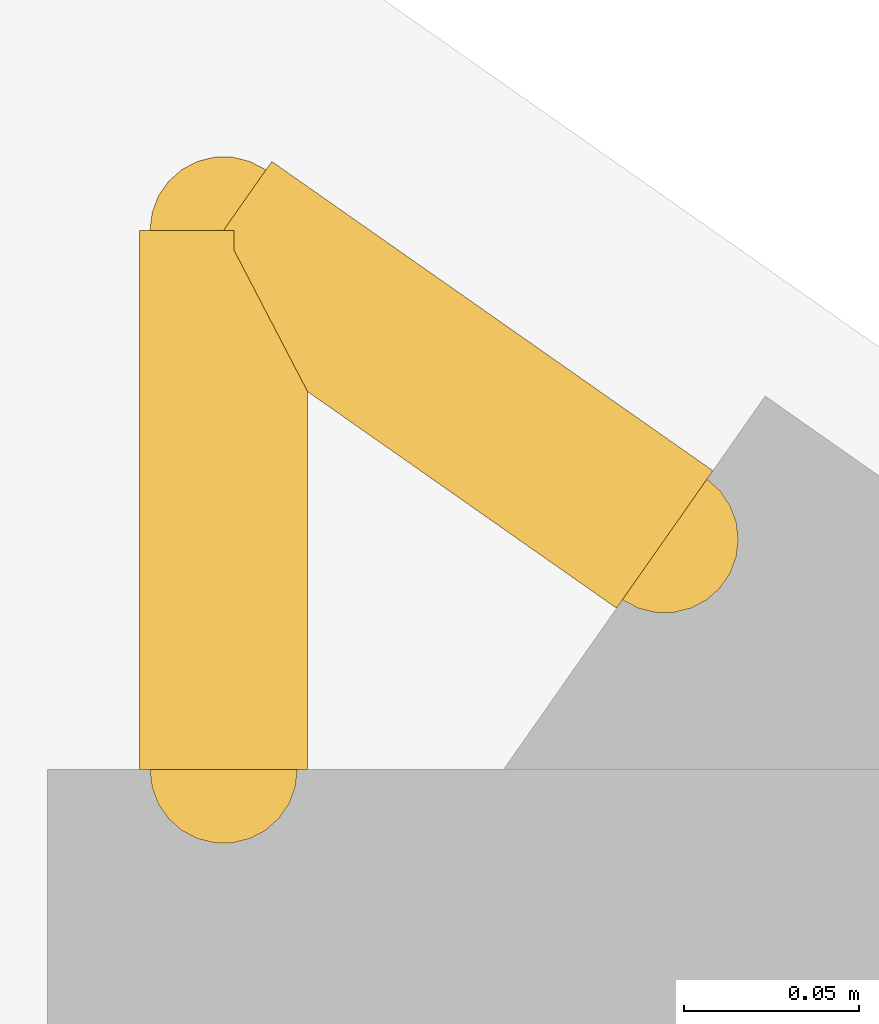
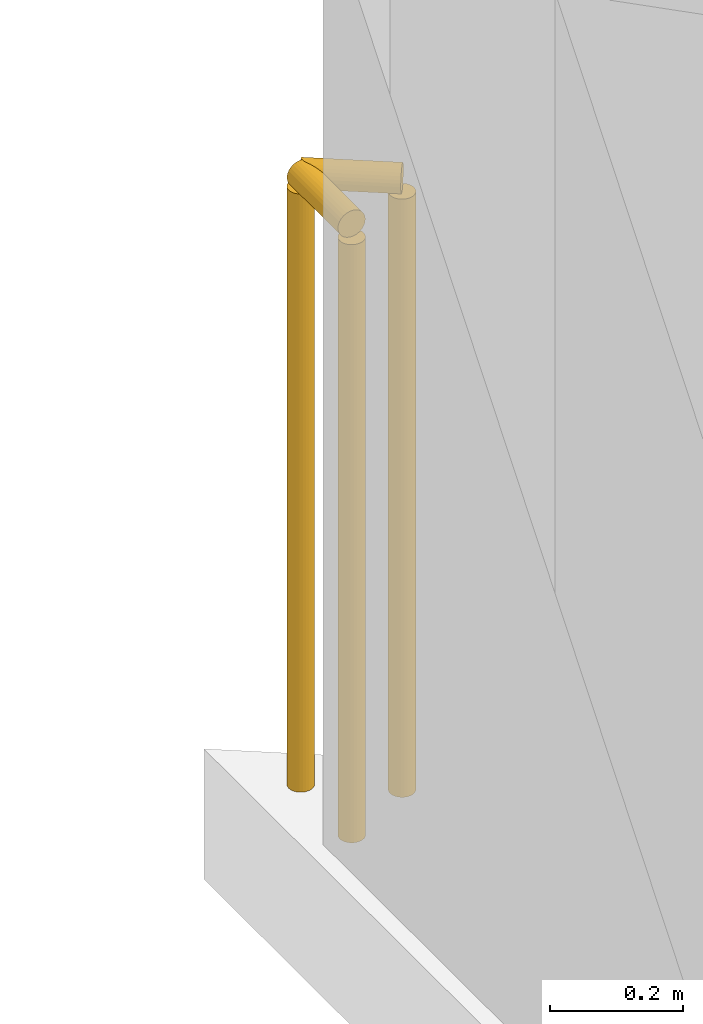
# One storey, part 16 of 16: 2 railings.
"""IFC4 building model written with IfcOpenShell, lengths in metres."""

from ifc_helpers import new_model, si_unit, direction, frame, origin, origin_2d, place, context, subcontext, project, spatial, circle, extrude, material, type_object, element, save


model = new_model("IFC4")

# Units and contexts
model_context = context("Model", 3, precision=1e-05, world=origin(), true_north=direction((0.0, 1.0)))
body_context = subcontext(model_context, "Body", "Model", "MODEL_VIEW")
ifc_project = project(units=[si_unit("LENGTHUNIT", "METRE"), si_unit("AREAUNIT", "SQUARE_METRE"), si_unit("VOLUMEUNIT", "CUBIC_METRE"), si_unit("PLANEANGLEUNIT", "RADIAN"), si_unit("MASSUNIT", "GRAM", prefix="KILO")], contexts=[model_context])

# Site, building, storey
site_placement = place(None, origin())
site = spatial("IfcSite", under=ifc_project, at=site_placement, CompositionType="ELEMENT")
building_placement = place(site_placement, origin())
building = spatial("IfcBuilding", under=site, at=building_placement, Name="Varnakote Quay Hospital", CompositionType="ELEMENT")
storey_placement = place(building_placement, frame((0.0, 0.0, 180.25)))
storey = spatial("IfcBuildingStorey", under=building, at=storey_placement, Name="L44", CompositionType="ELEMENT", Elevation=180.25)

# Railings
ifc_material = material(Name="Anodised aluminium 6063-T6 Bronze", Category="aluminium")
railing_type = type_object("IfcRailingType", Name="RLG-EXT-GUARD-1150", PredefinedType="GUARDRAIL", material=ifc_material)
railing_1_placement = place(storey_placement, frame((2.580078125, 42.492431640625, 0.0)))
element("IfcRailing", 1, at=railing_1_placement, inside=storey, type_object=railing_type, Name="L44 Slab Edge Perimeter Safety Guard", PredefinedType="GUARDRAIL", context=body_context, shape_type="SweptSolid", body=[
    extrude(circle(Radius=0.02392578125, at=origin_2d()), frame((0.0, 0.0, 1.1259765625), z_axis=(0.0, 1.0, 0.0), x_axis=(-1.0, 0.0, 0.0)), (0.0, 0.0, 1.0), 0.15380859375),
    extrude(circle(Radius=0.02099609375, at=origin_2d()), origin(), (0.0, 0.0, 1.0), 1.101806640625),
    extrude(circle(Radius=0.02099609375, at=origin_2d()), frame((0.0, 0.15380859375, 0.0)), (0.0, 0.0, 1.0), 1.101806640625),
])
railing_2_placement = place(storey_placement, frame((2.580078125, 42.646240234375, 0.0)))
element("IfcRailing", 2, at=railing_2_placement, inside=storey, type_object=railing_type, Name="L44 Slab Edge Perimeter Safety Guard", PredefinedType="GUARDRAIL", context=body_context, shape_type="SweptSolid", body=[
    extrude(circle(Radius=0.02392578125, at=origin_2d()), frame((0.0, 0.0, 1.1259765625), z_axis=(0.818858253068, -0.57399578516, 0.0), x_axis=(0.57399578516, 0.818858253068, 0.0)), (0.0, 0.0, 1.0), 0.153564453125),
    extrude(circle(Radius=0.02099609375, at=origin_2d()), origin(), (0.0, 0.0, 1.0), 1.101806640625),
    extrude(circle(Radius=0.02099609375, at=origin_2d()), frame((0.125732421875, -0.088134765625, 0.0)), (0.0, 0.0, 1.0), 1.101806640625),
])

save(model, "model.ifc")
